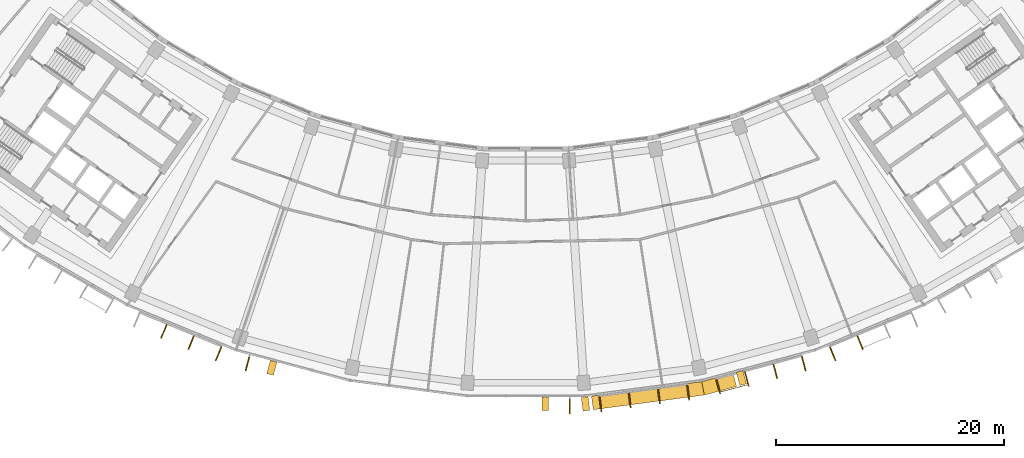
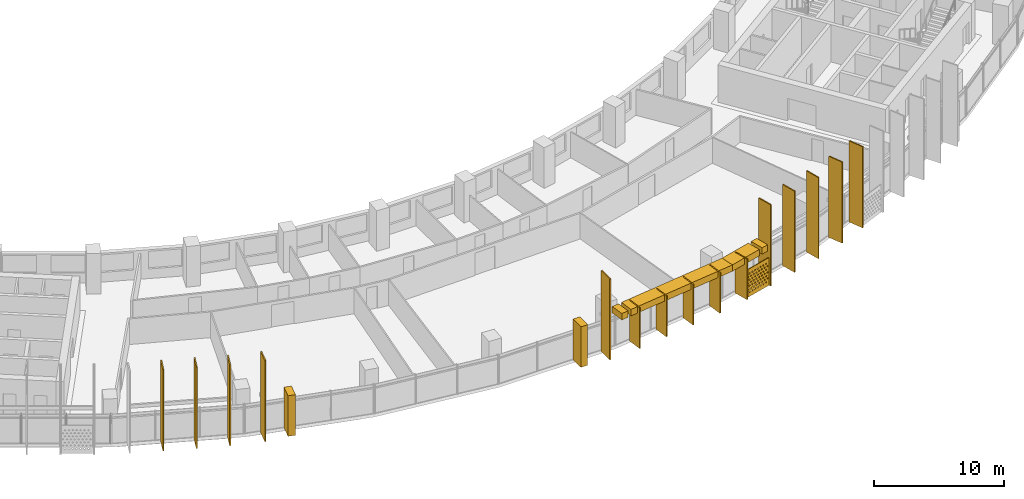
# One storey, part 25 of 27: 22 shading devices.
"""IFC4 building model written with IfcOpenShell, lengths in metres."""

from ifc_helpers import new_model, si_unit, direction, frame, origin, origin_2d, place, context, subcontext, project, spatial, polyline, rectangle, outline, extrude, material, material_profile, profile_set, type_object, element, save


model = new_model("IFC4")

# Units and contexts
model_context = context("Model", 3, precision=1e-05, world=origin(), true_north=direction((0.0, 1.0)))
body_context = subcontext(model_context, "Body", "Model", "MODEL_VIEW")
ifc_project = project(units=[si_unit("LENGTHUNIT", "METRE"), si_unit("AREAUNIT", "SQUARE_METRE"), si_unit("VOLUMEUNIT", "CUBIC_METRE"), si_unit("PLANEANGLEUNIT", "RADIAN"), si_unit("MASSUNIT", "GRAM", prefix="KILO")], contexts=[model_context])

# Site, building, storey
site_placement = place(None, origin())
site = spatial("IfcSite", under=ifc_project, at=site_placement, CompositionType="ELEMENT")
building_placement = place(site_placement, origin())
building = spatial("IfcBuilding", under=site, at=building_placement, Name="Qamariyya Broadcast Tower", CompositionType="ELEMENT")
storey_placement = place(building_placement, frame((0.0, 0.0, 179.699951171875)))
storey = spatial("IfcBuildingStorey", under=building, at=storey_placement, Name="L42", CompositionType="ELEMENT", Elevation=179.699951171875)

# Shading devices
ifc_material_1 = material(Name="Steel S355 powder coated deep red", Category="steel")
shading_device_type_1 = type_object("IfcShadingDeviceType", Name="Deep red frame, powder coated steel box section", PredefinedType="USERDEFINED", material=ifc_material_1)
shading_device_1_placement = place(storey_placement, origin())
element("IfcShadingDevice", 1, at=shading_device_1_placement, inside=storey, type_object=shading_device_type_1, Name="e-frm-B3-F2-posta-L42", ObjectType="FRAME", PredefinedType="USERDEFINED", context=body_context, shape_type="SweptSolid", body=[
    extrude(outline(polyline([(-22.356201171875, -75.621337890625), (-22.6669921875, -76.780517578125), (-22.08740234375, -76.935791015625), (-21.77685546875, -75.776611328125), (-22.356201171875, -75.621337890625)])), origin(), (0.0, 0.0, 1.0), 3.800048828125),
])
shading_device_2_placement = place(storey_placement, origin())
element("IfcShadingDevice", 2, at=shading_device_2_placement, inside=storey, type_object=shading_device_type_1, Name="e-frm-B3-F2-postb-L42", ObjectType="FRAME", PredefinedType="USERDEFINED", context=body_context, shape_type="SweptSolid", body=[
    extrude(outline(polyline([(1.42236328125, -78.830810546875), (1.42236328125, -80.03076171875), (2.022216796875, -80.03076171875), (2.022216796875, -78.830810546875), (1.42236328125, -78.830810546875)])), origin(), (0.0, 0.0, 1.0), 3.800048828125),
])
shading_device_3_placement = place(storey_placement, frame((0.0, 0.0, 3.199951171875)))
element("IfcShadingDevice", 3, at=shading_device_3_placement, inside=storey, type_object=shading_device_type_1, Name="e-frm-B3-F3-posta-L42", ObjectType="FRAME", PredefinedType="USERDEFINED", context=body_context, shape_type="SweptSolid", body=[
    extrude(outline(polyline([(4.869384765625, -78.8701171875), (5.026123046875, -80.059814453125), (5.620849609375, -79.9814453125), (5.46435546875, -78.791748046875), (4.869384765625, -78.8701171875)])), origin(), (0.0, 0.0, 1.0), 0.60009765625),
])
shading_device_4_placement = place(storey_placement, frame((0.0, 0.0, 3.199951171875)))
element("IfcShadingDevice", 4, at=shading_device_4_placement, inside=storey, type_object=shading_device_type_1, Name="e-frm-B3-F3-postb-L42", ObjectType="FRAME", PredefinedType="USERDEFINED", context=body_context, shape_type="SweptSolid", body=[
    extrude(outline(polyline([(18.449462890625, -76.668212890625), (18.76025390625, -77.827392578125), (19.339599609375, -77.671875), (19.029052734375, -76.512939453125), (18.449462890625, -76.668212890625)])), origin(), (0.0, 0.0, 1.0), 0.60009765625),
])
shading_device_5_placement = place(storey_placement, frame((0.0, 0.0, 3.199951171875)))
element("IfcShadingDevice", 5, at=shading_device_5_placement, inside=storey, type_object=shading_device_type_1, Name="e-frm-B3-F3-bot0", ObjectType="FRAME", PredefinedType="USERDEFINED", context=body_context, shape_type="SweptSolid", body=[
    extrude(outline(polyline([(5.76171875, -78.75244140625), (5.91845703125, -79.9423828125), (15.646728515625, -78.66162109375), (15.412109375, -77.48193359375), (5.76171875, -78.75244140625)])), origin(), (0.0, 0.0, 1.0), 0.60009765625),
])
shading_device_6_placement = place(storey_placement, frame((0.0, 0.0, 3.199951171875)))
element("IfcShadingDevice", 6, at=shading_device_6_placement, inside=storey, type_object=shading_device_type_1, Name="e-frm-B3-F3-bot1", ObjectType="FRAME", PredefinedType="USERDEFINED", context=body_context, shape_type="SweptSolid", body=[
    extrude(outline(polyline([(15.412109375, -77.48193359375), (15.646728515625, -78.66162109375), (18.470458984375, -77.905029296875), (18.15966796875, -76.745849609375), (15.412109375, -77.48193359375)])), origin(), (0.0, 0.0, 1.0), 0.60009765625),
])
ifc_material_2 = material(Name="Perforated glazed terracotta", Category="masonry")
ifc_material_profile_1 = material_profile(ifc_material_2, outline(polyline([(-1.199951171875, -1.300048828125), (1.199951171875, -1.300048828125), (1.199951171875, 1.300048828125), (-1.199951171875, 1.300048828125), (-1.199951171875, -1.300048828125)]), holes=[polyline([(-0.81494140625, -0.86669921875), (-0.89990234375, -0.78173828125), (-0.985107421875, -0.86669921875), (-0.89990234375, -0.95166015625), (-0.81494140625, -0.86669921875)]), polyline([(-0.514892578125, -0.86669921875), (-0.60009765625, -0.78173828125), (-0.68505859375, -0.86669921875), (-0.60009765625, -0.95166015625), (-0.514892578125, -0.86669921875)]), polyline([(-0.215087890625, -0.86669921875), (-0.300048828125, -0.78173828125), (-0.385009765625, -0.86669921875), (-0.300048828125, -0.95166015625), (-0.215087890625, -0.86669921875)]), polyline([(0.0849609375, -0.86669921875), (0.0, -0.78173828125), (-0.0849609375, -0.86669921875), (0.0, -0.95166015625), (0.0849609375, -0.86669921875)]), polyline([(0.385009765625, -0.86669921875), (0.300048828125, -0.78173828125), (0.215087890625, -0.86669921875), (0.300048828125, -0.95166015625), (0.385009765625, -0.86669921875)]), polyline([(0.68505859375, -0.86669921875), (0.60009765625, -0.78173828125), (0.514892578125, -0.86669921875), (0.60009765625, -0.95166015625), (0.68505859375, -0.86669921875)]), polyline([(0.985107421875, -0.86669921875), (0.89990234375, -0.78173828125), (0.81494140625, -0.86669921875), (0.89990234375, -0.95166015625), (0.985107421875, -0.86669921875)]), polyline([(-0.965087890625, -0.577880859375), (-1.050048828125, -0.49267578125), (-1.135009765625, -0.577880859375), (-1.050048828125, -0.662841796875), (-0.965087890625, -0.577880859375)]), polyline([(-0.6650390625, -0.577880859375), (-0.75, -0.49267578125), (-0.8349609375, -0.577880859375), (-0.75, -0.662841796875), (-0.6650390625, -0.577880859375)]), polyline([(-0.364990234375, -0.577880859375), (-0.449951171875, -0.49267578125), (-0.534912109375, -0.577880859375), (-0.449951171875, -0.662841796875), (-0.364990234375, -0.577880859375)]), polyline([(-0.06494140625, -0.577880859375), (-0.14990234375, -0.49267578125), (-0.235107421875, -0.577880859375), (-0.14990234375, -0.662841796875), (-0.06494140625, -0.577880859375)]), polyline([(0.235107421875, -0.577880859375), (0.14990234375, -0.49267578125), (0.06494140625, -0.577880859375), (0.14990234375, -0.662841796875), (0.235107421875, -0.577880859375)]), polyline([(0.534912109375, -0.577880859375), (0.449951171875, -0.49267578125), (0.364990234375, -0.577880859375), (0.449951171875, -0.662841796875), (0.534912109375, -0.577880859375)]), polyline([(0.8349609375, -0.577880859375), (0.75, -0.49267578125), (0.6650390625, -0.577880859375), (0.75, -0.662841796875), (0.8349609375, -0.577880859375)]), polyline([(1.135009765625, -0.577880859375), (1.050048828125, -0.49267578125), (0.965087890625, -0.577880859375), (1.050048828125, -0.662841796875), (1.135009765625, -0.577880859375)]), polyline([(-0.81494140625, -0.288818359375), (-0.89990234375, -0.203857421875), (-0.985107421875, -0.288818359375), (-0.89990234375, -0.373779296875), (-0.81494140625, -0.288818359375)]), polyline([(-0.514892578125, -0.288818359375), (-0.60009765625, -0.203857421875), (-0.68505859375, -0.288818359375), (-0.60009765625, -0.373779296875), (-0.514892578125, -0.288818359375)]), polyline([(-0.215087890625, -0.288818359375), (-0.300048828125, -0.203857421875), (-0.385009765625, -0.288818359375), (-0.300048828125, -0.373779296875), (-0.215087890625, -0.288818359375)]), polyline([(0.0849609375, -0.288818359375), (0.0, -0.203857421875), (-0.0849609375, -0.288818359375), (0.0, -0.373779296875), (0.0849609375, -0.288818359375)]), polyline([(0.385009765625, -0.288818359375), (0.300048828125, -0.203857421875), (0.215087890625, -0.288818359375), (0.300048828125, -0.373779296875), (0.385009765625, -0.288818359375)]), polyline([(0.68505859375, -0.288818359375), (0.60009765625, -0.203857421875), (0.514892578125, -0.288818359375), (0.60009765625, -0.373779296875), (0.68505859375, -0.288818359375)]), polyline([(0.985107421875, -0.288818359375), (0.89990234375, -0.203857421875), (0.81494140625, -0.288818359375), (0.89990234375, -0.373779296875), (0.985107421875, -0.288818359375)]), polyline([(-0.965087890625, 0.0), (-1.050048828125, 0.0849609375), (-1.135009765625, 0.0), (-1.050048828125, -0.0849609375), (-0.965087890625, 0.0)]), polyline([(-0.6650390625, 0.0), (-0.75, 0.0849609375), (-0.8349609375, 0.0), (-0.75, -0.0849609375), (-0.6650390625, 0.0)]), polyline([(-0.364990234375, 0.0), (-0.449951171875, 0.0849609375), (-0.534912109375, 0.0), (-0.449951171875, -0.0849609375), (-0.364990234375, 0.0)]), polyline([(-0.06494140625, 0.0), (-0.14990234375, 0.0849609375), (-0.235107421875, 0.0), (-0.14990234375, -0.0849609375), (-0.06494140625, 0.0)]), polyline([(0.235107421875, 0.0), (0.14990234375, 0.0849609375), (0.06494140625, 0.0), (0.14990234375, -0.0849609375), (0.235107421875, 0.0)]), polyline([(0.534912109375, 0.0), (0.449951171875, 0.0849609375), (0.364990234375, 0.0), (0.449951171875, -0.0849609375), (0.534912109375, 0.0)]), polyline([(0.8349609375, 0.0), (0.75, 0.0849609375), (0.6650390625, 0.0), (0.75, -0.0849609375), (0.8349609375, 0.0)]), polyline([(1.135009765625, 0.0), (1.050048828125, 0.0849609375), (0.965087890625, 0.0), (1.050048828125, -0.0849609375), (1.135009765625, 0.0)]), polyline([(-0.81494140625, 0.288818359375), (-0.89990234375, 0.373779296875), (-0.985107421875, 0.288818359375), (-0.89990234375, 0.203857421875), (-0.81494140625, 0.288818359375)]), polyline([(-0.514892578125, 0.288818359375), (-0.60009765625, 0.373779296875), (-0.68505859375, 0.288818359375), (-0.60009765625, 0.203857421875), (-0.514892578125, 0.288818359375)]), polyline([(-0.215087890625, 0.288818359375), (-0.300048828125, 0.373779296875), (-0.385009765625, 0.288818359375), (-0.300048828125, 0.203857421875), (-0.215087890625, 0.288818359375)]), polyline([(0.0849609375, 0.288818359375), (0.0, 0.373779296875), (-0.0849609375, 0.288818359375), (0.0, 0.203857421875), (0.0849609375, 0.288818359375)]), polyline([(0.385009765625, 0.288818359375), (0.300048828125, 0.373779296875), (0.215087890625, 0.288818359375), (0.300048828125, 0.203857421875), (0.385009765625, 0.288818359375)]), polyline([(0.68505859375, 0.288818359375), (0.60009765625, 0.373779296875), (0.514892578125, 0.288818359375), (0.60009765625, 0.203857421875), (0.68505859375, 0.288818359375)]), polyline([(0.985107421875, 0.288818359375), (0.89990234375, 0.373779296875), (0.81494140625, 0.288818359375), (0.89990234375, 0.203857421875), (0.985107421875, 0.288818359375)]), polyline([(-0.965087890625, 0.577880859375), (-1.050048828125, 0.662841796875), (-1.135009765625, 0.577880859375), (-1.050048828125, 0.49267578125), (-0.965087890625, 0.577880859375)]), polyline([(-0.6650390625, 0.577880859375), (-0.75, 0.662841796875), (-0.8349609375, 0.577880859375), (-0.75, 0.49267578125), (-0.6650390625, 0.577880859375)]), polyline([(-0.364990234375, 0.577880859375), (-0.449951171875, 0.662841796875), (-0.534912109375, 0.577880859375), (-0.449951171875, 0.49267578125), (-0.364990234375, 0.577880859375)]), polyline([(-0.06494140625, 0.577880859375), (-0.14990234375, 0.662841796875), (-0.235107421875, 0.577880859375), (-0.14990234375, 0.49267578125), (-0.06494140625, 0.577880859375)]), polyline([(0.235107421875, 0.577880859375), (0.14990234375, 0.662841796875), (0.06494140625, 0.577880859375), (0.14990234375, 0.49267578125), (0.235107421875, 0.577880859375)]), polyline([(0.534912109375, 0.577880859375), (0.449951171875, 0.662841796875), (0.364990234375, 0.577880859375), (0.449951171875, 0.49267578125), (0.534912109375, 0.577880859375)]), polyline([(0.8349609375, 0.577880859375), (0.75, 0.662841796875), (0.6650390625, 0.577880859375), (0.75, 0.49267578125), (0.8349609375, 0.577880859375)]), polyline([(1.135009765625, 0.577880859375), (1.050048828125, 0.662841796875), (0.965087890625, 0.577880859375), (1.050048828125, 0.49267578125), (1.135009765625, 0.577880859375)]), polyline([(-0.81494140625, 0.86669921875), (-0.89990234375, 0.95166015625), (-0.985107421875, 0.86669921875), (-0.89990234375, 0.78173828125), (-0.81494140625, 0.86669921875)]), polyline([(-0.514892578125, 0.86669921875), (-0.60009765625, 0.95166015625), (-0.68505859375, 0.86669921875), (-0.60009765625, 0.78173828125), (-0.514892578125, 0.86669921875)]), polyline([(-0.215087890625, 0.86669921875), (-0.300048828125, 0.95166015625), (-0.385009765625, 0.86669921875), (-0.300048828125, 0.78173828125), (-0.215087890625, 0.86669921875)]), polyline([(0.0849609375, 0.86669921875), (0.0, 0.95166015625), (-0.0849609375, 0.86669921875), (0.0, 0.78173828125), (0.0849609375, 0.86669921875)]), polyline([(0.385009765625, 0.86669921875), (0.300048828125, 0.95166015625), (0.215087890625, 0.86669921875), (0.300048828125, 0.78173828125), (0.385009765625, 0.86669921875)]), polyline([(0.68505859375, 0.86669921875), (0.60009765625, 0.95166015625), (0.514892578125, 0.86669921875), (0.60009765625, 0.78173828125), (0.68505859375, 0.86669921875)]), polyline([(0.985107421875, 0.86669921875), (0.89990234375, 0.95166015625), (0.81494140625, 0.86669921875), (0.89990234375, 0.78173828125), (0.985107421875, 0.86669921875)])]))
ifc_profile_set_1 = profile_set([ifc_material_profile_1], Name="Perforated glazed terracotta")
shading_device_type_2 = type_object("IfcShadingDeviceType", Name="Perforated terracotta screen 2400 x 2600", PredefinedType="USERDEFINED", material=ifc_profile_set_1)
shading_device_7_placement = place(storey_placement, frame((18.196044921875, -78.051025390625, 1.35009765625), z_axis=(0.256901156343, -0.966437683387, 0.0), x_axis=(0.966437683387, 0.256901156343, 0.0)))
element("IfcShadingDevice", 7, at=shading_device_7_placement, inside=storey, type_object=shading_device_type_2, Name="e-scr-L42-09-0", ObjectType="SCREEN", PredefinedType="USERDEFINED", context=body_context, shape_type="SweptSolid", body=[
    extrude(outline(polyline([(-1.199951171875, -1.300048828125), (1.199951171875, -1.300048828125), (1.199951171875, 1.300048828125), (-1.199951171875, 1.300048828125), (-1.199951171875, -1.300048828125)]), holes=[polyline([(-0.81494140625, -0.86669921875), (-0.89990234375, -0.78173828125), (-0.985107421875, -0.86669921875), (-0.89990234375, -0.95166015625), (-0.81494140625, -0.86669921875)]), polyline([(-0.514892578125, -0.86669921875), (-0.60009765625, -0.78173828125), (-0.68505859375, -0.86669921875), (-0.60009765625, -0.95166015625), (-0.514892578125, -0.86669921875)]), polyline([(-0.215087890625, -0.86669921875), (-0.300048828125, -0.78173828125), (-0.385009765625, -0.86669921875), (-0.300048828125, -0.95166015625), (-0.215087890625, -0.86669921875)]), polyline([(0.0849609375, -0.86669921875), (0.0, -0.78173828125), (-0.0849609375, -0.86669921875), (0.0, -0.95166015625), (0.0849609375, -0.86669921875)]), polyline([(0.385009765625, -0.86669921875), (0.300048828125, -0.78173828125), (0.215087890625, -0.86669921875), (0.300048828125, -0.95166015625), (0.385009765625, -0.86669921875)]), polyline([(0.68505859375, -0.86669921875), (0.60009765625, -0.78173828125), (0.514892578125, -0.86669921875), (0.60009765625, -0.95166015625), (0.68505859375, -0.86669921875)]), polyline([(0.985107421875, -0.86669921875), (0.89990234375, -0.78173828125), (0.81494140625, -0.86669921875), (0.89990234375, -0.95166015625), (0.985107421875, -0.86669921875)]), polyline([(-0.965087890625, -0.577880859375), (-1.050048828125, -0.49267578125), (-1.135009765625, -0.577880859375), (-1.050048828125, -0.662841796875), (-0.965087890625, -0.577880859375)]), polyline([(-0.6650390625, -0.577880859375), (-0.75, -0.49267578125), (-0.8349609375, -0.577880859375), (-0.75, -0.662841796875), (-0.6650390625, -0.577880859375)]), polyline([(-0.364990234375, -0.577880859375), (-0.449951171875, -0.49267578125), (-0.534912109375, -0.577880859375), (-0.449951171875, -0.662841796875), (-0.364990234375, -0.577880859375)]), polyline([(-0.06494140625, -0.577880859375), (-0.14990234375, -0.49267578125), (-0.235107421875, -0.577880859375), (-0.14990234375, -0.662841796875), (-0.06494140625, -0.577880859375)]), polyline([(0.235107421875, -0.577880859375), (0.14990234375, -0.49267578125), (0.06494140625, -0.577880859375), (0.14990234375, -0.662841796875), (0.235107421875, -0.577880859375)]), polyline([(0.534912109375, -0.577880859375), (0.449951171875, -0.49267578125), (0.364990234375, -0.577880859375), (0.449951171875, -0.662841796875), (0.534912109375, -0.577880859375)]), polyline([(0.8349609375, -0.577880859375), (0.75, -0.49267578125), (0.6650390625, -0.577880859375), (0.75, -0.662841796875), (0.8349609375, -0.577880859375)]), polyline([(1.135009765625, -0.577880859375), (1.050048828125, -0.49267578125), (0.965087890625, -0.577880859375), (1.050048828125, -0.662841796875), (1.135009765625, -0.577880859375)]), polyline([(-0.81494140625, -0.288818359375), (-0.89990234375, -0.203857421875), (-0.985107421875, -0.288818359375), (-0.89990234375, -0.373779296875), (-0.81494140625, -0.288818359375)]), polyline([(-0.514892578125, -0.288818359375), (-0.60009765625, -0.203857421875), (-0.68505859375, -0.288818359375), (-0.60009765625, -0.373779296875), (-0.514892578125, -0.288818359375)]), polyline([(-0.215087890625, -0.288818359375), (-0.300048828125, -0.203857421875), (-0.385009765625, -0.288818359375), (-0.300048828125, -0.373779296875), (-0.215087890625, -0.288818359375)]), polyline([(0.0849609375, -0.288818359375), (0.0, -0.203857421875), (-0.0849609375, -0.288818359375), (0.0, -0.373779296875), (0.0849609375, -0.288818359375)]), polyline([(0.385009765625, -0.288818359375), (0.300048828125, -0.203857421875), (0.215087890625, -0.288818359375), (0.300048828125, -0.373779296875), (0.385009765625, -0.288818359375)]), polyline([(0.68505859375, -0.288818359375), (0.60009765625, -0.203857421875), (0.514892578125, -0.288818359375), (0.60009765625, -0.373779296875), (0.68505859375, -0.288818359375)]), polyline([(0.985107421875, -0.288818359375), (0.89990234375, -0.203857421875), (0.81494140625, -0.288818359375), (0.89990234375, -0.373779296875), (0.985107421875, -0.288818359375)]), polyline([(-0.965087890625, 0.0), (-1.050048828125, 0.0849609375), (-1.135009765625, 0.0), (-1.050048828125, -0.0849609375), (-0.965087890625, 0.0)]), polyline([(-0.6650390625, 0.0), (-0.75, 0.0849609375), (-0.8349609375, 0.0), (-0.75, -0.0849609375), (-0.6650390625, 0.0)]), polyline([(-0.364990234375, 0.0), (-0.449951171875, 0.0849609375), (-0.534912109375, 0.0), (-0.449951171875, -0.0849609375), (-0.364990234375, 0.0)]), polyline([(-0.06494140625, 0.0), (-0.14990234375, 0.0849609375), (-0.235107421875, 0.0), (-0.14990234375, -0.0849609375), (-0.06494140625, 0.0)]), polyline([(0.235107421875, 0.0), (0.14990234375, 0.0849609375), (0.06494140625, 0.0), (0.14990234375, -0.0849609375), (0.235107421875, 0.0)]), polyline([(0.534912109375, 0.0), (0.449951171875, 0.0849609375), (0.364990234375, 0.0), (0.449951171875, -0.0849609375), (0.534912109375, 0.0)]), polyline([(0.8349609375, 0.0), (0.75, 0.0849609375), (0.6650390625, 0.0), (0.75, -0.0849609375), (0.8349609375, 0.0)]), polyline([(1.135009765625, 0.0), (1.050048828125, 0.0849609375), (0.965087890625, 0.0), (1.050048828125, -0.0849609375), (1.135009765625, 0.0)]), polyline([(-0.81494140625, 0.288818359375), (-0.89990234375, 0.373779296875), (-0.985107421875, 0.288818359375), (-0.89990234375, 0.203857421875), (-0.81494140625, 0.288818359375)]), polyline([(-0.514892578125, 0.288818359375), (-0.60009765625, 0.373779296875), (-0.68505859375, 0.288818359375), (-0.60009765625, 0.203857421875), (-0.514892578125, 0.288818359375)]), polyline([(-0.215087890625, 0.288818359375), (-0.300048828125, 0.373779296875), (-0.385009765625, 0.288818359375), (-0.300048828125, 0.203857421875), (-0.215087890625, 0.288818359375)]), polyline([(0.0849609375, 0.288818359375), (0.0, 0.373779296875), (-0.0849609375, 0.288818359375), (0.0, 0.203857421875), (0.0849609375, 0.288818359375)]), polyline([(0.385009765625, 0.288818359375), (0.300048828125, 0.373779296875), (0.215087890625, 0.288818359375), (0.300048828125, 0.203857421875), (0.385009765625, 0.288818359375)]), polyline([(0.68505859375, 0.288818359375), (0.60009765625, 0.373779296875), (0.514892578125, 0.288818359375), (0.60009765625, 0.203857421875), (0.68505859375, 0.288818359375)]), polyline([(0.985107421875, 0.288818359375), (0.89990234375, 0.373779296875), (0.81494140625, 0.288818359375), (0.89990234375, 0.203857421875), (0.985107421875, 0.288818359375)]), polyline([(-0.965087890625, 0.577880859375), (-1.050048828125, 0.662841796875), (-1.135009765625, 0.577880859375), (-1.050048828125, 0.49267578125), (-0.965087890625, 0.577880859375)]), polyline([(-0.6650390625, 0.577880859375), (-0.75, 0.662841796875), (-0.8349609375, 0.577880859375), (-0.75, 0.49267578125), (-0.6650390625, 0.577880859375)]), polyline([(-0.364990234375, 0.577880859375), (-0.449951171875, 0.662841796875), (-0.534912109375, 0.577880859375), (-0.449951171875, 0.49267578125), (-0.364990234375, 0.577880859375)]), polyline([(-0.06494140625, 0.577880859375), (-0.14990234375, 0.662841796875), (-0.235107421875, 0.577880859375), (-0.14990234375, 0.49267578125), (-0.06494140625, 0.577880859375)]), polyline([(0.235107421875, 0.577880859375), (0.14990234375, 0.662841796875), (0.06494140625, 0.577880859375), (0.14990234375, 0.49267578125), (0.235107421875, 0.577880859375)]), polyline([(0.534912109375, 0.577880859375), (0.449951171875, 0.662841796875), (0.364990234375, 0.577880859375), (0.449951171875, 0.49267578125), (0.534912109375, 0.577880859375)]), polyline([(0.8349609375, 0.577880859375), (0.75, 0.662841796875), (0.6650390625, 0.577880859375), (0.75, 0.49267578125), (0.8349609375, 0.577880859375)]), polyline([(1.135009765625, 0.577880859375), (1.050048828125, 0.662841796875), (0.965087890625, 0.577880859375), (1.050048828125, 0.49267578125), (1.135009765625, 0.577880859375)]), polyline([(-0.81494140625, 0.86669921875), (-0.89990234375, 0.95166015625), (-0.985107421875, 0.86669921875), (-0.89990234375, 0.78173828125), (-0.81494140625, 0.86669921875)]), polyline([(-0.514892578125, 0.86669921875), (-0.60009765625, 0.95166015625), (-0.68505859375, 0.86669921875), (-0.60009765625, 0.78173828125), (-0.514892578125, 0.86669921875)]), polyline([(-0.215087890625, 0.86669921875), (-0.300048828125, 0.95166015625), (-0.385009765625, 0.86669921875), (-0.300048828125, 0.78173828125), (-0.215087890625, 0.86669921875)]), polyline([(0.0849609375, 0.86669921875), (0.0, 0.95166015625), (-0.0849609375, 0.86669921875), (0.0, 0.78173828125), (0.0849609375, 0.86669921875)]), polyline([(0.385009765625, 0.86669921875), (0.300048828125, 0.95166015625), (0.215087890625, 0.86669921875), (0.300048828125, 0.78173828125), (0.385009765625, 0.86669921875)]), polyline([(0.68505859375, 0.86669921875), (0.60009765625, 0.95166015625), (0.514892578125, 0.86669921875), (0.60009765625, 0.78173828125), (0.68505859375, 0.86669921875)]), polyline([(0.985107421875, 0.86669921875), (0.89990234375, 0.95166015625), (0.81494140625, 0.86669921875), (0.89990234375, 0.78173828125), (0.985107421875, 0.86669921875)])]), origin(), (0.0, 0.0, 1.0), 0.059814453125),
])
ifc_material_3 = material(Name="Glazed terracotta", Category="masonry")
ifc_material_profile_2 = material_profile(ifc_material_3, rectangle(XDim=1.300048828125, YDim=0.10009765625, at=origin_2d()))
ifc_profile_set_2 = profile_set([ifc_material_profile_2], Name="Glazed terracotta")
shading_device_type_3 = type_object("IfcShadingDeviceType", Name="Terracotta fin 100 x 1300", PredefinedType="USERDEFINED", material=ifc_profile_set_2)
for number, where, z_axis, x_axis, name in (
    (8, (-31.666748046875, -73.074951171875, 0.0), (0.0, 0.0, 1.0), (-0.382683432365, -0.923879532511, 0.0), "e-fin-L42-04-1"),
    (9, (-29.280029296875, -74.063720703125, 0.0), (0.0, 0.0, 1.0), (-0.382683432365, -0.923879532511, 0.0), "e-fin-L42-04-2"),
    (10, (-26.893310546875, -75.05224609375, 0.0), (0.0, 0.0, 1.0), (-0.382683432365, -0.923879532511, 0.0), "e-fin-L42-04-3"),
    (11, (-24.35302734375, -75.91455078125, 0.0), (0.0, 0.0, 1.0), (-0.258819045103, -0.965925826289, 0.0), "e-fin-L42-05-0"),
    (12, (3.875244140625, -79.630859375, 0.0), (0.0, 0.0, 1.0), (0.0, -1.0, 0.0), "e-fin-L42-07-3"),
):
    element("IfcShadingDevice", number, at=place(storey_placement, frame(where, z_axis=z_axis, x_axis=x_axis)), inside=storey, type_object=shading_device_type_3, Name=name, ObjectType="FIN", PredefinedType="USERDEFINED", context=body_context, shape_type="SweptSolid", body=[
        extrude(rectangle(XDim=1.300048828125, YDim=0.10009765625, at=origin_2d()), origin(), (0.0, 0.0, 1.0), 7.60009765625),
    ])
for number, where, z_axis, x_axis, name in (
    (13, (6.552001953125, -79.455322265625, 0.0), (0.0, 0.0, 1.0), (0.13052619222, -0.991444861374, 0.0), "e-fin-L42-08-0"),
    (14, (9.11328125, -79.1181640625, 0.0), (0.0, 0.0, 1.0), (0.13052619222, -0.991444861374, 0.0), "e-fin-L42-08-1"),
    (15, (11.674560546875, -78.781005859375, 0.0), (0.0, 0.0, 1.0), (0.13052619222, -0.991444861374, 0.0), "e-fin-L42-08-2"),
    (16, (14.23583984375, -78.44384765625, 0.0), (0.0, 0.0, 1.0), (0.13052619222, -0.991444861374, 0.0), "e-fin-L42-08-3"),
    (17, (16.866943359375, -77.92041015625, 0.0), (0.0, 0.0, 1.0), (0.258819045103, -0.965925826289, 0.0), "e-fin-L42-09-0"),
):
    element("IfcShadingDevice", number, at=place(storey_placement, frame(where, z_axis=z_axis, x_axis=x_axis)), inside=storey, type_object=shading_device_type_3, Name=name, ObjectType="FIN", PredefinedType="USERDEFINED", context=body_context, shape_type="SweptSolid", body=[
        extrude(rectangle(XDim=1.300048828125, YDim=0.10009765625, at=origin_2d()), origin(), (0.0, 0.0, 1.0), 3.800048828125),
    ])
for number, where, z_axis, x_axis, name in (
    (18, (19.3623046875, -77.251708984375, 0.0), (0.0, 0.0, 1.0), (0.258819045103, -0.965925826289, 0.0), "e-fin-L42-09-1"),
    (19, (21.857666015625, -76.583251953125, 0.0), (0.0, 0.0, 1.0), (0.258819045103, -0.965925826289, 0.0), "e-fin-L42-09-2"),
    (20, (24.35302734375, -75.91455078125, 0.0), (0.0, 0.0, 1.0), (0.258819045103, -0.965925826289, 0.0), "e-fin-L42-09-3"),
    (21, (26.893310546875, -75.05224609375, 0.0), (0.0, 0.0, 1.0), (0.382683432365, -0.923879532511, 0.0), "e-fin-L42-10-0"),
    (22, (29.280029296875, -74.063720703125, 0.0), (0.0, 0.0, 1.0), (0.382683432365, -0.923879532511, 0.0), "e-fin-L42-10-1"),
):
    element("IfcShadingDevice", number, at=place(storey_placement, frame(where, z_axis=z_axis, x_axis=x_axis)), inside=storey, type_object=shading_device_type_3, Name=name, ObjectType="FIN", PredefinedType="USERDEFINED", context=body_context, shape_type="SweptSolid", body=[
        extrude(rectangle(XDim=1.300048828125, YDim=0.10009765625, at=origin_2d()), origin(), (0.0, 0.0, 1.0), 7.60009765625),
    ])

save(model, "model.ifc")
